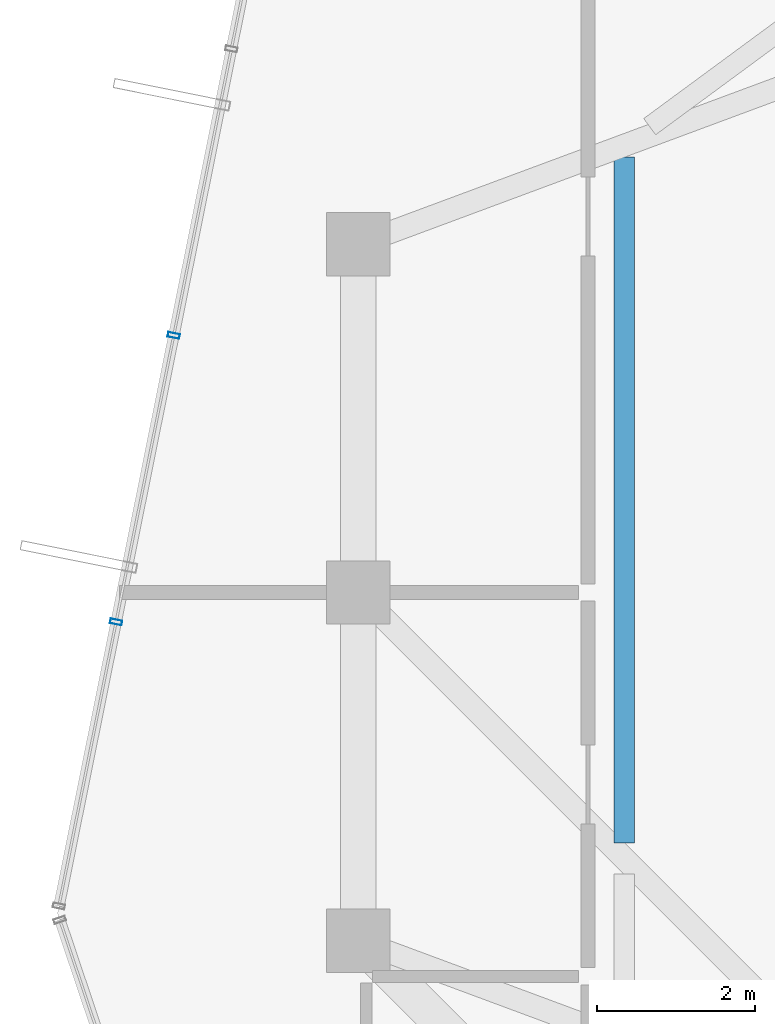
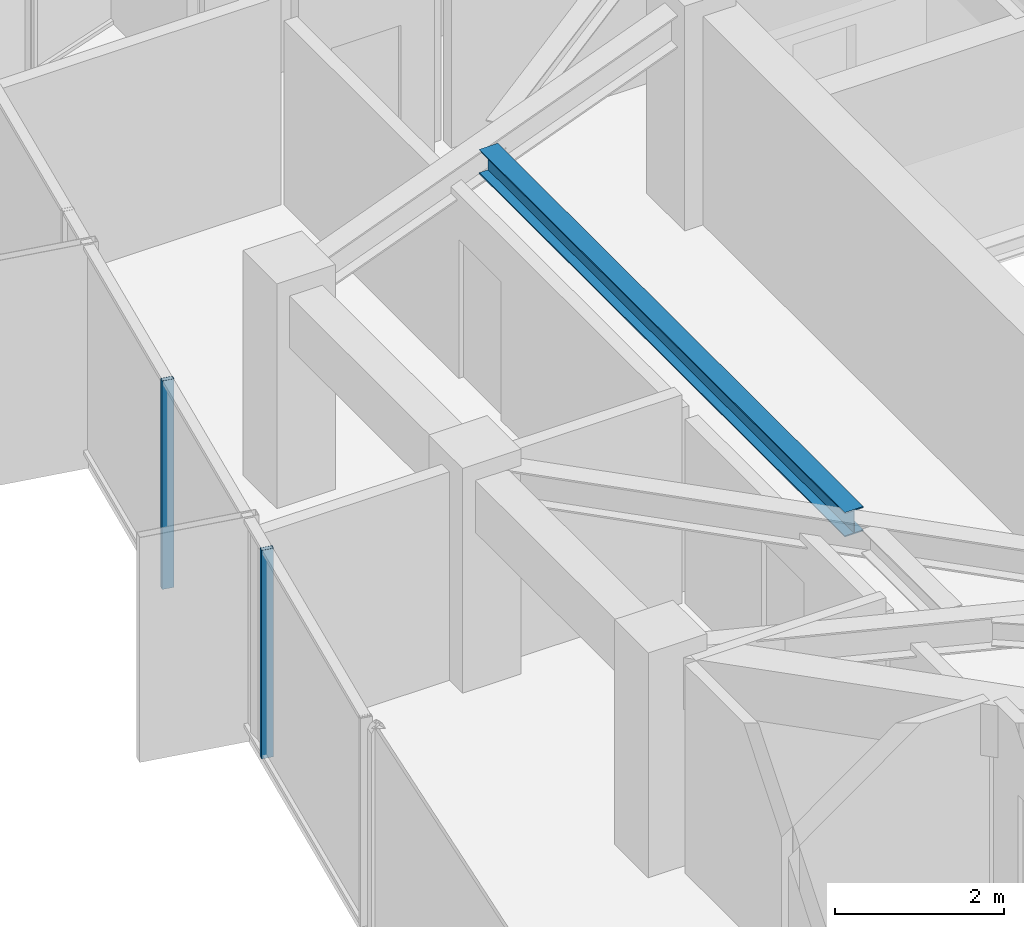
# One storey, part 11 of 28: 2 members, 1 beam, 1 element without a shape of its own.
"""IFC4 building model written with IfcOpenShell, lengths in metres."""

from ifc_helpers import new_model, si_unit, direction, frame, origin, origin_2d, place, context, subcontext, project, spatial, hollow_rectangle, i_section, extrude, source, transform, mapped, material, layer, layer_set, material_profile, profile_set, type_object, element, aggregate, save


model = new_model("IFC4")

# Units and contexts
model_context = context("Model", 3, precision=1e-05, world=origin(), true_north=direction((0.0, 1.0)))
body_context = subcontext(model_context, "Body", "Model", "MODEL_VIEW")
ifc_project = project(units=[si_unit("LENGTHUNIT", "METRE"), si_unit("AREAUNIT", "SQUARE_METRE"), si_unit("VOLUMEUNIT", "CUBIC_METRE"), si_unit("PLANEANGLEUNIT", "RADIAN"), si_unit("MASSUNIT", "GRAM", prefix="KILO")], contexts=[model_context])

# Site, building, storey
site_placement = place(None, origin())
site = spatial("IfcSite", under=ifc_project, at=site_placement, CompositionType="ELEMENT")
building_placement = place(site_placement, origin())
building = spatial("IfcBuilding", under=site, at=building_placement, Name="Veraguas Prism Commons", CompositionType="ELEMENT")
storey_placement = place(building_placement, frame((0.0, 0.0, 248.0)))
storey = spatial("IfcBuildingStorey", under=building, at=storey_placement, Name="L70", CompositionType="ELEMENT", Elevation=248.0)

# Beam
ifc_material_1 = material(Name="Steel ASTM A992 Grade 50", Category="steel")
ifc_material_profile_1 = material_profile(ifc_material_1, i_section(OverallWidth=0.25390625, OverallDepth=0.35302734375, WebThickness=0.009521484375, FlangeThickness=0.016357421875, at=origin_2d()), Name="W360X91")
ifc_profile_set_1 = profile_set([ifc_material_profile_1], Name="Steel ASTM A992 Grade 50")
beam_type = type_object("IfcBeamType", Name="Upper Floor Joist W360x91", PredefinedType="JOIST", material=ifc_profile_set_1)
beam_placement = place(storey_placement, frame((13.56005859375, 29.499267578125, 2.83837890625), z_axis=(0.0, -1.0, 0.0), x_axis=(1.0, 0.0, 0.0)))
element("IfcBeam", 1, at=beam_placement, inside=storey, type_object=beam_type, Name="Composite Floor Joist L70-JS07", PredefinedType="JOIST", context=body_context, shape_type="SweptSolid", body=[
    extrude(i_section(OverallWidth=0.25390625, OverallDepth=0.35302734375, WebThickness=0.009521484375, FlangeThickness=0.016357421875, at=origin_2d()), origin(), (0.0, 0.0, 1.0), 8.661865234375),
])

# Curtain wall, members
ifc_material_2 = material(Name="Anodised aluminium EN AW-6063 T6", Category="aluminium")
ifc_layer = layer(ifc_material_2, 0.14990234375, Name="Unitised Flush Curtain Wall Zone 4", Category="aluminium")
ifc_layer_set = layer_set([ifc_layer], Name="Anodised aluminium EN AW-6063 T6")
curtain_wall_type = type_object("IfcCurtainWallType", Name="Unitised Flush Curtain Wall Zone 4", PredefinedType="NOTDEFINED", material=ifc_layer_set)
curtain_wall_placement = place(storey_placement, origin())
curtain_wall = element("IfcCurtainWall", 2, at=curtain_wall_placement, inside=storey, type_object=curtain_wall_type, Name="Tower Facade Curtain Wall L70-F3", PredefinedType="NOTDEFINED")
ifc_material_profile_2 = material_profile(ifc_material_2, hollow_rectangle(XDim=0.06005859375, YDim=0.14990234375, WallThickness=0.0029296875, at=origin_2d()), Name="AL60X150X3")
ifc_profile_set_2 = profile_set([ifc_material_profile_2], Name="Anodised aluminium EN AW-6063 T6")
member_type = type_object("IfcMemberType", Name="Curtain Wall Mullion Upper AL 60x150x3", PredefinedType="MULLION", material=ifc_profile_set_2)
shared_shape = source(origin(), body_context, "Body", "SweptSolid", [
    extrude(hollow_rectangle(XDim=0.06005859375, YDim=0.14990234375, WallThickness=0.0029296875, at=origin_2d()), origin(), (0.0, 0.0, 1.0), 3.014892578125),
])
member_1_placement = place(storey_placement, frame((7.869140625, 27.246826171875, 0.0), z_axis=(0.0, 0.0, 1.0), x_axis=(-0.197318571184, -0.980339421561, 0.0)))
member_1 = element("IfcMember", 3, at=member_1_placement, type_object=member_type, Name="CW-Z4 Mullion 3", PredefinedType="MULLION", context=body_context, shape_type="MappedRepresentation", body=[
    mapped(shared_shape, transform((0.0, 0.0, 0.0), scale=1.0)),
])
member_2_placement = place(storey_placement, frame((7.140625, 23.627685546875, 0.0), z_axis=(0.0, 0.0, 1.0), x_axis=(-0.197318571184, -0.980339421561, 0.0)))
member_2 = element("IfcMember", 4, at=member_2_placement, type_object=member_type, Name="CW-Z4 Mullion 4", PredefinedType="MULLION", context=body_context, shape_type="MappedRepresentation", body=[
    mapped(shared_shape, transform((0.0, 0.0, 0.0), scale=1.0)),
])
aggregate(curtain_wall, [member_1, member_2])

save(model, "model.ifc")
